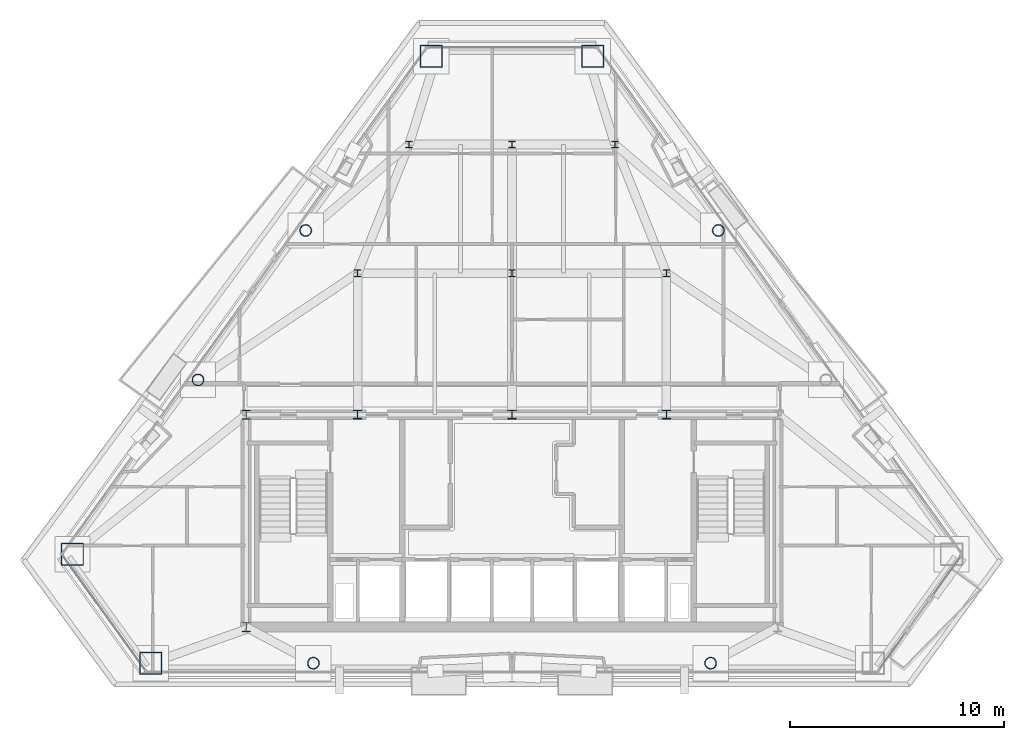
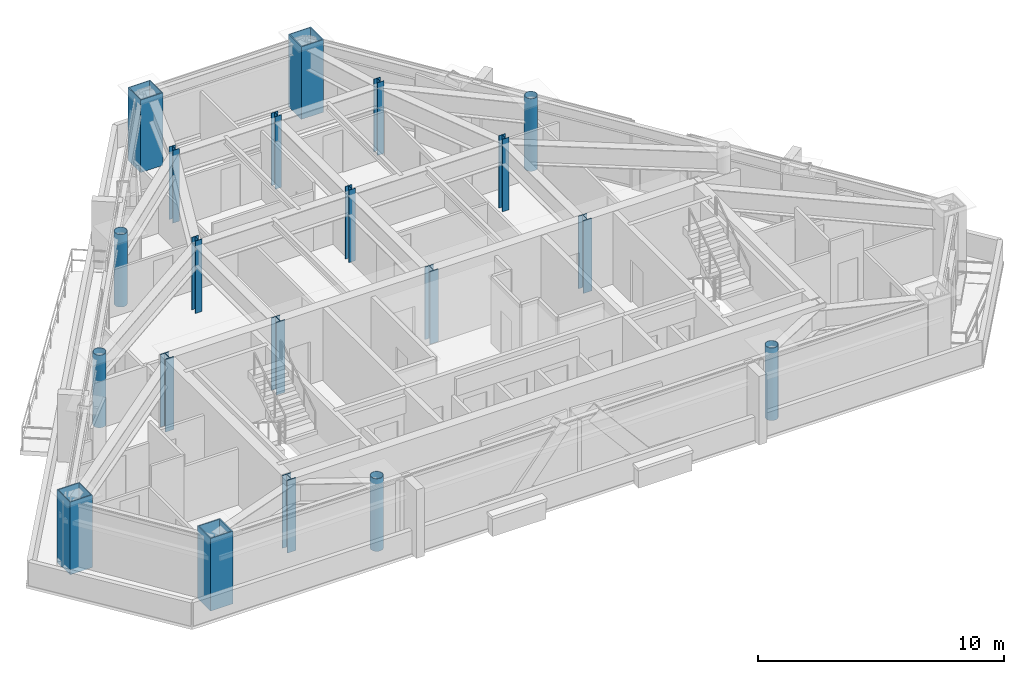
# One storey, part 1 of 11: 20 columns.
"""IFC4 building model written with IfcOpenShell, lengths in metres."""

from ifc_helpers import new_model, si_unit, direction, frame, origin, origin_2d, place, context, subcontext, project, spatial, hollow_rectangle, hollow_circle, i_section, extrude, material, material_profile, profile_set, type_object, element, save


model = new_model("IFC4")

# Units and contexts
model_context = context("Model", 3, precision=1e-05, world=origin(), true_north=direction((0.0, 1.0)))
body_context = subcontext(model_context, "Body", "Model", "MODEL_VIEW")
ifc_project = project(units=[si_unit("LENGTHUNIT", "METRE"), si_unit("AREAUNIT", "SQUARE_METRE"), si_unit("VOLUMEUNIT", "CUBIC_METRE"), si_unit("PLANEANGLEUNIT", "RADIAN"), si_unit("MASSUNIT", "GRAM", prefix="KILO")], contexts=[model_context])

# Site, building, storey
site_placement = place(None, origin())
site = spatial("IfcSite", under=ifc_project, at=site_placement, CompositionType="ELEMENT")
building_placement = place(site_placement, origin())
building = spatial("IfcBuilding", under=site, at=building_placement, Name="Talgorran Terracotta Tower", CompositionType="ELEMENT")
storey_placement = place(building_placement, frame((0.0, 0.0, 185.699951171875)))
storey = spatial("IfcBuildingStorey", under=building, at=storey_placement, Name="L48", CompositionType="ELEMENT", Elevation=185.699951171875)

# Columns
ifc_material_1 = material(Name="Steel S355 (300PLUS)", Category="steel")
ifc_material_profile_1 = material_profile(ifc_material_1, i_section(OverallWidth=0.306884765625, OverallDepth=0.314453125, WebThickness=0.011962890625, FlangeThickness=0.018798828125, at=origin_2d()), Name="310UC118")
ifc_profile_set_1 = profile_set([ifc_material_profile_1], Name="Steel S355 (300PLUS)")
column_type_1 = type_object("IfcColumnType", Name="COL_310UC118", PredefinedType="COLUMN", material=ifc_profile_set_1)
for number, where, z_axis, x_axis, name in (
    (1, (-7.199951171875, 2.39990234375, 0.0), (0.0, 0.0, 1.0), (1.0, 0.0, 0.0), "L48 Interior Gravity Column IC1"),
    (2, (0.0, 2.39990234375, 0.0), (0.0, 0.0, 1.0), (1.0, 0.0, 0.0), "L48 Interior Gravity Column IC2"),
    (3, (7.199951171875, 2.39990234375, 0.0), (0.0, 0.0, 1.0), (1.0, 0.0, 0.0), "L48 Interior Gravity Column IC3"),
    (4, (-4.800048828125, 8.39990234375, 0.0), (0.0, 0.0, 1.0), (1.0, 0.0, 0.0), "L48 Interior Gravity Column IC4"),
    (5, (0.0, 8.39990234375, 0.0), (0.0, 0.0, 1.0), (1.0, 0.0, 0.0), "L48 Interior Gravity Column IC5"),
    (6, (4.800048828125, 8.39990234375, 0.0), (0.0, 0.0, 1.0), (1.0, 0.0, 0.0), "L48 Interior Gravity Column IC6"),
):
    element("IfcColumn", number, at=place(storey_placement, frame(where, z_axis=z_axis, x_axis=x_axis)), inside=storey, type_object=column_type_1, Name=name, PredefinedType="COLUMN", context=body_context, shape_type="SweptSolid", body=[
        extrude(i_section(OverallWidth=0.306884765625, OverallDepth=0.314453125, WebThickness=0.011962890625, FlangeThickness=0.018798828125, at=origin_2d()), origin(), (0.0, 0.0, 1.0), 3.60009765625),
    ])
ifc_material_profile_2 = material_profile(ifc_material_1, i_section(OverallWidth=0.39990234375, OverallDepth=0.43994140625, WebThickness=0.028076171875, FlangeThickness=0.0400390625, at=origin_2d()), Name="400WC328")
ifc_profile_set_2 = profile_set([ifc_material_profile_2], Name="Steel S355 (300PLUS)")
column_type_2 = type_object("IfcColumnType", Name="COL_400WC328", PredefinedType="COLUMN", material=ifc_profile_set_2)
for number, where, z_axis, x_axis, name in (
    (7, (-12.39990234375, -14.10009765625, 0.0), (0.0, 0.0, 1.0), (1.0, 0.0, 0.0), "L48 Core Boundary Column CC1"),
    (8, (-12.39990234375, -4.199951171875, 0.0), (0.0, 0.0, 1.0), (1.0, 0.0, 0.0), "L48 Core Boundary Column CC4"),
):
    element("IfcColumn", number, at=place(storey_placement, frame(where, z_axis=z_axis, x_axis=x_axis)), inside=storey, type_object=column_type_2, Name=name, PredefinedType="COLUMN", context=body_context, shape_type="SweptSolid", body=[
        extrude(i_section(OverallWidth=0.39990234375, OverallDepth=0.43994140625, WebThickness=0.028076171875, FlangeThickness=0.0400390625, at=origin_2d()), origin(), (0.0, 0.0, 1.0), 3.60009765625),
    ])
ifc_material_2 = material(Name="Steel Grade 350 (350L0)", Category="steel")
ifc_material_profile_3 = material_profile(ifc_material_2, hollow_rectangle(XDim=1.050048828125, YDim=1.050048828125, WallThickness=0.044921875, at=origin_2d()), Name="CFT1050X1050X45")
ifc_profile_set_3 = profile_set([ifc_material_profile_3], Name="Steel Grade 350 (350L0)")
column_type_3 = type_object("IfcColumnType", Name="COL_CFT_1050", PredefinedType="COLUMN", material=ifc_profile_set_3)
for number, where, z_axis, x_axis, name in (
    (9, (-20.49365234375, -10.706787109375, 0.0), (0.0, 0.0, 1.0), (1.0, 0.0, 0.0), "L48 Corner CFT Mega-Column MC1"),
    (10, (-16.8359375, -15.78564453125, 0.0), (0.0, 0.0, 1.0), (1.0, 0.0, 0.0), "L48 Corner CFT Mega-Column MC2"),
    (11, (3.765869140625, 12.52001953125, 0.0), (0.0, 0.0, 1.0), (1.0, 0.0, 0.0), "L48 Corner CFT Mega-Column MC5"),
    (12, (-3.765869140625, 12.52001953125, 0.0), (0.0, 0.0, 1.0), (1.0, 0.0, 0.0), "L48 Corner CFT Mega-Column MC6"),
):
    element("IfcColumn", number, at=place(storey_placement, frame(where, z_axis=z_axis, x_axis=x_axis)), inside=storey, type_object=column_type_3, Name=name, PredefinedType="COLUMN", context=body_context, shape_type="SweptSolid", body=[
        extrude(hollow_rectangle(XDim=1.050048828125, YDim=1.050048828125, WallThickness=0.044921875, at=origin_2d()), origin(), (0.0, 0.0, 1.0), 3.60009765625),
    ])
ifc_material_profile_4 = material_profile(ifc_material_2, hollow_circle(Radius=0.27490234375, WallThickness=0.02392578125, at=origin_2d()), Name="CHS550X24")
ifc_profile_set_4 = profile_set([ifc_material_profile_4], Name="Steel Grade 350 (350L0)")
column_type_4 = type_object("IfcColumnType", Name="COL_CHS_550", PredefinedType="COLUMN", material=ifc_profile_set_4)
for number, where, z_axis, x_axis, name in (
    (13, (-9.259765625, -15.78564453125, 0.0), (0.0, 0.0, 1.0), (1.0, 0.0, 0.0), "L48 Facet Perimeter Column FC1"),
    (14, (9.259765625, -15.78564453125, 0.0), (0.0, 0.0, 1.0), (1.0, 0.0, 0.0), "L48 Facet Perimeter Column FC2"),
    (15, (9.62060546875, 4.390625, 0.0), (0.0, 0.0, 1.0), (1.0, 0.0, 0.0), "L48 Facet Perimeter Column FC4"),
    (16, (-9.62060546875, 4.390625, 0.0), (0.0, 0.0, 1.0), (1.0, 0.0, 0.0), "L48 Facet Perimeter Column FC5"),
    (17, (-14.638916015625, -2.577392578125, 0.0), (0.0, 0.0, 1.0), (1.0, 0.0, 0.0), "L48 Facet Perimeter Column FC6"),
):
    element("IfcColumn", number, at=place(storey_placement, frame(where, z_axis=z_axis, x_axis=x_axis)), inside=storey, type_object=column_type_4, Name=name, PredefinedType="COLUMN", context=body_context, shape_type="SweptSolid", body=[
        extrude(hollow_circle(Radius=0.27490234375, WallThickness=0.02392578125, at=origin_2d()), origin(), (0.0, 0.0, 1.0), 3.60009765625),
    ])
ifc_material_profile_5 = material_profile(ifc_material_1, i_section(OverallWidth=0.405029296875, OverallDepth=0.4140625, WebThickness=0.02197265625, FlangeThickness=0.031982421875, at=origin_2d()), Name="400WC270")
ifc_profile_set_5 = profile_set([ifc_material_profile_5], Name="Steel S355 (300PLUS)")
column_type_5 = type_object("IfcColumnType", Name="COL_PIL_400WC270", PredefinedType="PILASTER", material=ifc_profile_set_5)
for number, where, z_axis, x_axis, name in (
    (18, (-7.199951171875, -4.199951171875, 0.0), (0.0, 0.0, 1.0), (1.0, 0.0, 0.0), "L48 Core Shear Pilaster CP1"),
    (19, (0.0, -4.199951171875, 0.0), (0.0, 0.0, 1.0), (1.0, 0.0, 0.0), "L48 Core Shear Pilaster CP2"),
    (20, (7.199951171875, -4.199951171875, 0.0), (0.0, 0.0, 1.0), (1.0, 0.0, 0.0), "L48 Core Shear Pilaster CP3"),
):
    element("IfcColumn", number, at=place(storey_placement, frame(where, z_axis=z_axis, x_axis=x_axis)), inside=storey, type_object=column_type_5, Name=name, PredefinedType="PILASTER", context=body_context, shape_type="SweptSolid", body=[
        extrude(i_section(OverallWidth=0.405029296875, OverallDepth=0.4140625, WebThickness=0.02197265625, FlangeThickness=0.031982421875, at=origin_2d()), origin(), (0.0, 0.0, 1.0), 3.60009765625),
    ])

save(model, "model.ifc")
